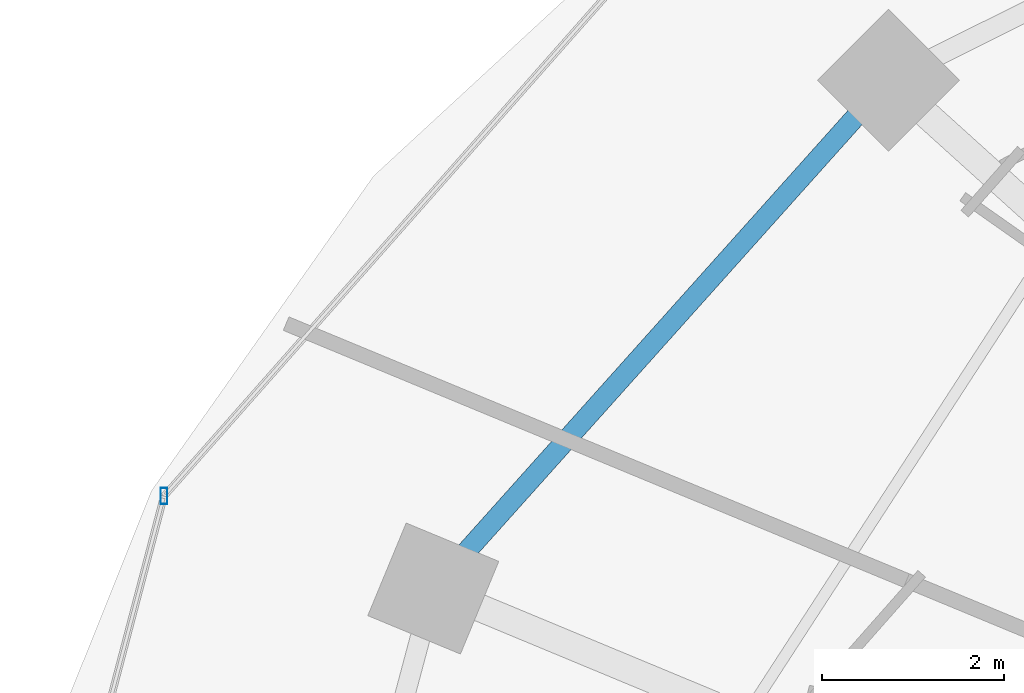
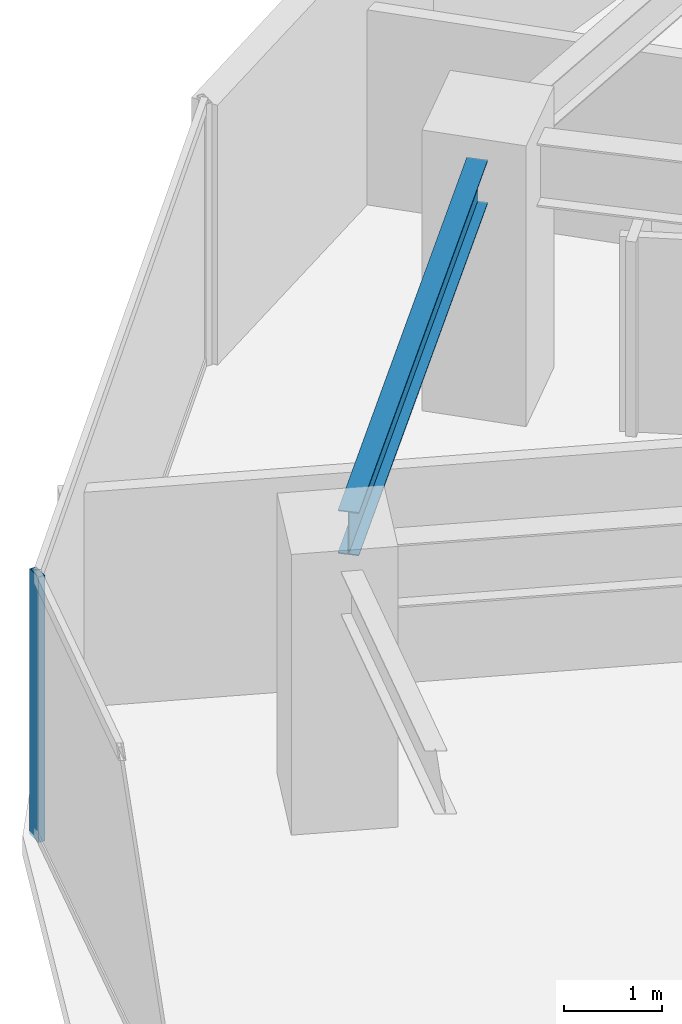
# One storey, part 9 of 31: 1 beam, 1 member, 1 element without a shape of its own.
"""IFC4 building model written with IfcOpenShell, lengths in metres."""

from ifc_helpers import new_model, si_unit, direction, frame, origin, origin_2d, place, context, subcontext, project, spatial, hollow_rectangle, i_section, extrude, material, material_profile, profile_set, type_object, element, aggregate, save


model = new_model("IFC4")

# Units and contexts
model_context = context("Model", 3, precision=1e-05, world=origin(), true_north=direction((0.0, 1.0)))
body_context = subcontext(model_context, "Body", "Model", "MODEL_VIEW")
ifc_project = project(units=[si_unit("LENGTHUNIT", "METRE"), si_unit("AREAUNIT", "SQUARE_METRE"), si_unit("VOLUMEUNIT", "CUBIC_METRE"), si_unit("PLANEANGLEUNIT", "RADIAN"), si_unit("MASSUNIT", "GRAM", prefix="KILO")], contexts=[model_context])

# Site, building, storey
site_placement = place(None, origin())
site = spatial("IfcSite", under=ifc_project, at=site_placement, CompositionType="ELEMENT")
building_placement = place(site_placement, origin())
building = spatial("IfcBuilding", under=site, at=building_placement, Name="Vorneva Point Tower", CompositionType="ELEMENT")
storey_placement = place(building_placement, frame((0.0, 0.0, 103.300048828125)))
storey = spatial("IfcBuildingStorey", under=building, at=storey_placement, Name="L27", CompositionType="ELEMENT", Elevation=103.300048828125)

# Beam
ifc_material_1 = material(Name="Steel S355", Category="steel")
ifc_material_profile_1 = material_profile(ifc_material_1, i_section(OverallWidth=0.219970703125, OverallDepth=0.54296875, WebThickness=0.009521484375, FlangeThickness=0.013427734375, at=origin_2d()), Name="55B1")
ifc_profile_set_1 = profile_set([ifc_material_profile_1], Name="Steel S355")
beam_type = type_object("IfcBeamType", Name="BM-SPN-55B1", PredefinedType="SPANDREL", material=ifc_profile_set_1)
beam_placement = place(storey_placement, frame((21.34423828125, 37.763671875, 2.968505859375), z_axis=(-0.667073815664, -0.744991627105, 0.0), x_axis=(0.744991627105, -0.667073815664, 0.0)))
element("IfcBeam", 1, at=beam_placement, inside=storey, type_object=beam_type, Name="L27 Perimeter Spandrel Ring Beam 07", PredefinedType="SPANDREL", context=body_context, shape_type="SweptSolid", body=[
    extrude(i_section(OverallWidth=0.219970703125, OverallDepth=0.54296875, WebThickness=0.009521484375, FlangeThickness=0.013427734375, at=origin_2d()), origin(), (0.0, 0.0, 1.0), 6.420166015625),
])

# Curtain wall, member
ifc_material_2 = material(Name="Pale anodised aluminium", Category="aluminium")
curtain_wall_type = type_object("IfcCurtainWallType", Name="CW-HTL-SYS", PredefinedType="NOTDEFINED", material=ifc_material_2)
curtain_wall_placement = place(storey_placement, origin())
curtain_wall = element("IfcCurtainWall", 2, at=curtain_wall_placement, inside=storey, type_object=curtain_wall_type, Name="L27 Unitised Curtain Wall CW-L27-R03", PredefinedType="NOTDEFINED")
ifc_material_profile_2 = material_profile(ifc_material_2, hollow_rectangle(XDim=0.074951171875, YDim=0.179931640625, WallThickness=0.00390625, at=origin_2d()), Name="AL-MUL 180x75x4")
ifc_profile_set_2 = profile_set([ifc_material_profile_2], Name="Pale anodised aluminium")
member_type = type_object("IfcMemberType", Name="CW-MUL-180", PredefinedType="MULLION", material=ifc_profile_set_2)
member_placement = place(storey_placement, frame((13.748291015625, 33.59619140625, -0.0400390625), z_axis=(0.0, 0.0, 1.0), x_axis=(1.0, 0.0, 0.0)))
member = element("IfcMember", 3, at=member_placement, type_object=member_type, Name="CW-L27-R03 Mullion 02", PredefinedType="MULLION", context=body_context, shape_type="SweptSolid", body=[
    extrude(hollow_rectangle(XDim=0.074951171875, YDim=0.179931640625, WallThickness=0.00390625, at=origin_2d()), origin(), (0.0, 0.0, 1.0), 3.31005859375),
])
aggregate(curtain_wall, [member])

save(model, "model.ifc")
